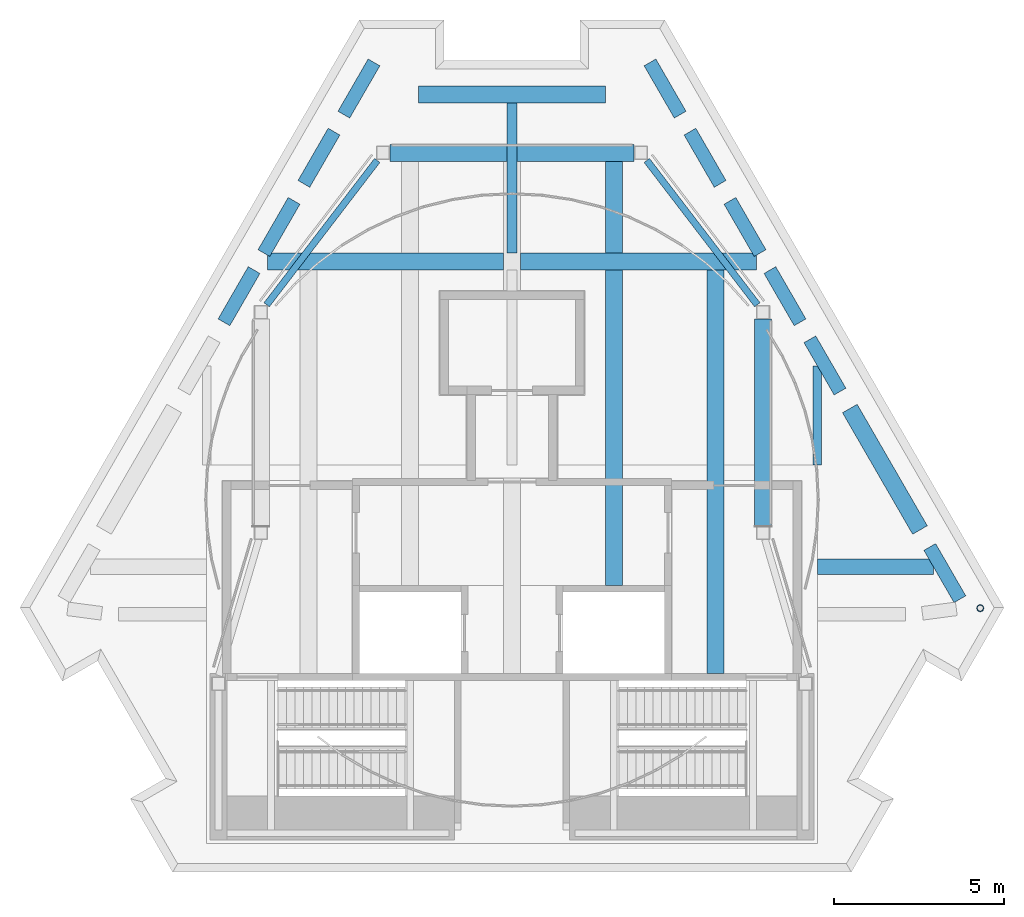
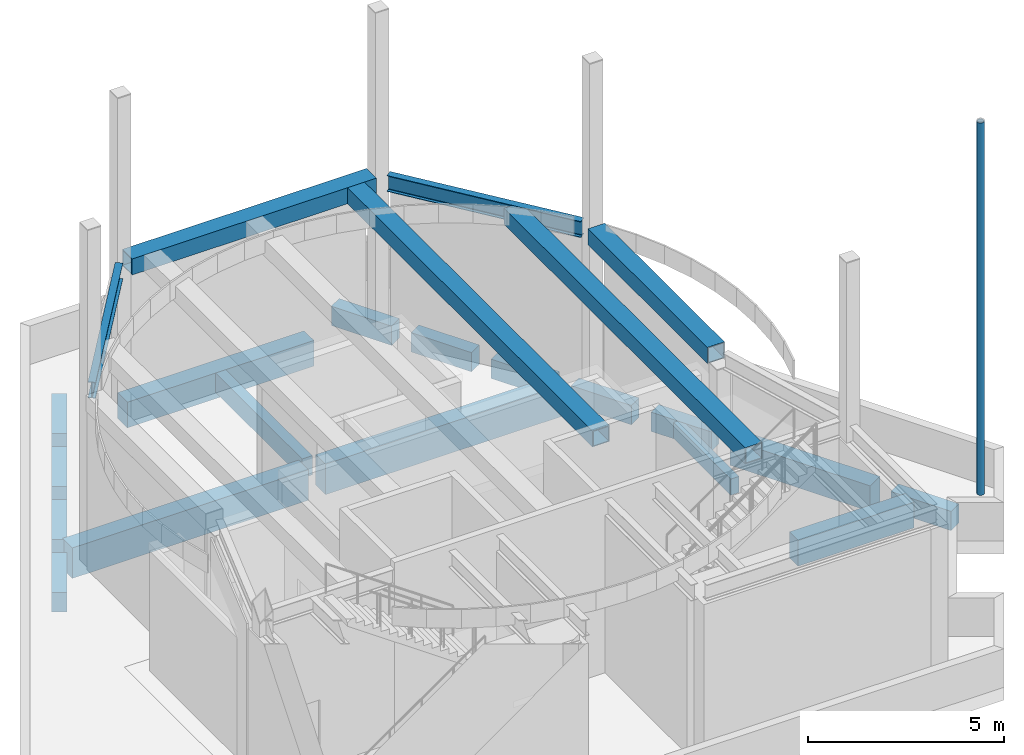
# One storey, part 2 of 6: 23 beams, 1 member.
"""IFC4 building model written with IfcOpenShell, lengths in metres."""

from ifc_helpers import new_model, si_unit, direction, frame, origin, origin_2d, place, context, subcontext, project, spatial, rectangle, hollow_rectangle, hollow_circle, i_section, extrude, material, material_profile, profile_set, type_object, element, save


model = new_model("IFC4")

# Units and contexts
model_context = context("Model", 3, precision=1e-05, world=origin(), true_north=direction((0.0, 1.0)))
body_context = subcontext(model_context, "Body", "Model", "MODEL_VIEW")
ifc_project = project(units=[si_unit("LENGTHUNIT", "METRE"), si_unit("AREAUNIT", "SQUARE_METRE"), si_unit("VOLUMEUNIT", "CUBIC_METRE"), si_unit("PLANEANGLEUNIT", "RADIAN"), si_unit("MASSUNIT", "GRAM", prefix="KILO")], contexts=[model_context])

# Site, building, storey
site_placement = place(None, origin())
site = spatial("IfcSite", under=ifc_project, at=site_placement, CompositionType="ELEMENT")
building_placement = place(site_placement, origin())
building = spatial("IfcBuilding", under=site, at=building_placement, Name="Fogline Exchange Tower", CompositionType="ELEMENT")
storey_placement = place(building_placement, frame((0.0, 0.0, 363.60009765625)))
storey = spatial("IfcBuildingStorey", under=building, at=storey_placement, Name="RF", CompositionType="ELEMENT", Elevation=363.60009765625)

# Beams
ifc_material_1 = material(Name="Concrete C40", Category="concrete")
ifc_material_profile_1 = material_profile(ifc_material_1, rectangle(XDim=0.300048828125, YDim=0.60009765625, at=origin_2d()), Name="RC 300x600")
ifc_profile_set_1 = profile_set([ifc_material_profile_1], Name="Concrete C40")
beam_type_1 = type_object("IfcBeamType", Name="B06", PredefinedType="BEAM", material=ifc_profile_set_1)
beam_1_placement = place(storey_placement, frame((0.0, 18.25, -0.7001953125), z_axis=(0.0, 1.0, 0.0), x_axis=(-1.0, 0.0, 0.0)))
element("IfcBeam", 1, at=beam_1_placement, inside=storey, type_object=beam_type_1, Name="SB003", PredefinedType="BEAM", context=body_context, shape_type="SweptSolid", body=[
    extrude(rectangle(XDim=0.300048828125, YDim=0.60009765625, at=origin_2d()), origin(), (0.0, 0.0, 1.0), 4.414794921875),
])
ifc_material_profile_2 = material_profile(ifc_material_1, rectangle(XDim=0.25, YDim=0.5, at=origin_2d()), Name="RC 250x500")
ifc_profile_set_2 = profile_set([ifc_material_profile_2], Name="Concrete C40")
beam_type_2 = type_object("IfcBeamType", Name="B08", PredefinedType="BEAM", material=ifc_profile_set_2)
beam_2_placement = place(storey_placement, frame((9.0, 12.0, -0.650146484375), z_axis=(0.0, 1.0, 0.0), x_axis=(-1.0, 0.0, 0.0)))
element("IfcBeam", 2, at=beam_2_placement, inside=storey, type_object=beam_type_2, Name="SB004", PredefinedType="BEAM", context=body_context, shape_type="SweptSolid", body=[
    extrude(rectangle(XDim=0.25, YDim=0.5, at=origin_2d()), origin(), (0.0, 0.0, 1.0), 2.92041015625),
])
ifc_material_profile_3 = material_profile(ifc_material_1, rectangle(XDim=0.5, YDim=0.800048828125, at=origin_2d()), Name="RC 500x800")
ifc_profile_set_3 = profile_set([ifc_material_profile_3], Name="Concrete C40")
beam_type_3 = type_object("IfcBeamType", Name="B10", PredefinedType="BEAM", material=ifc_profile_set_3)
beam_3_placement = place(storey_placement, frame((12.023193359375, 10.084228515625, -0.800048828125), z_axis=(-0.500032583525, 0.86600659086, 0.0), x_axis=(-0.86600659086, -0.500032583525, 0.0)))
element("IfcBeam", 3, at=beam_3_placement, inside=storey, type_object=beam_type_3, Name="RB006", PredefinedType="BEAM", context=body_context, shape_type="SweptSolid", body=[
    extrude(rectangle(XDim=0.5, YDim=0.800048828125, at=origin_2d()), origin(), (0.0, 0.0, 1.0), 4.134033203125),
])
beam_4_placement = place(storey_placement, frame((2.75, 22.914794921875, -0.800048828125), z_axis=(-1.0, 0.0, 0.0), x_axis=(0.0, -1.0, 0.0)))
element("IfcBeam", 4, at=beam_4_placement, inside=storey, type_object=beam_type_3, Name="RB012", PredefinedType="BEAM", context=body_context, shape_type="SweptSolid", body=[
    extrude(rectangle(XDim=0.5, YDim=0.800048828125, at=origin_2d()), origin(), (0.0, 0.0, 1.0), 5.5),
])
ifc_material_profile_4 = material_profile(ifc_material_1, rectangle(XDim=0.39990234375, YDim=0.60009765625, at=origin_2d()), Name="RC 400x600")
ifc_profile_set_4 = profile_set([ifc_material_profile_4], Name="Concrete C40")
beam_type_4 = type_object("IfcBeamType", Name="B11", PredefinedType="BEAM", material=ifc_profile_set_4)
beam_5_placement = place(storey_placement, frame((13.200927734375, 8.044189453125, -0.7001953125), z_axis=(-0.500007671222, 0.866020974757, 0.0), x_axis=(-0.866020974757, -0.500007671222, 0.0)))
element("IfcBeam", 5, at=beam_5_placement, inside=storey, type_object=beam_type_4, Name="RB005", PredefinedType="BEAM", context=body_context, shape_type="SweptSolid", body=[
    extrude(rectangle(XDim=0.39990234375, YDim=0.60009765625, at=origin_2d()), origin(), (0.0, 0.0, 1.0), 1.7783203125),
])
beam_6_placement = place(storey_placement, frame((9.66748046875, 14.164306640625, -0.7001953125), z_axis=(-0.499948228488, 0.866055292018, 0.0), x_axis=(-0.866055292018, -0.499948228488, 0.0)))
element("IfcBeam", 6, at=beam_6_placement, inside=storey, type_object=beam_type_4, Name="RB007", PredefinedType="BEAM", context=body_context, shape_type="SweptSolid", body=[
    extrude(rectangle(XDim=0.39990234375, YDim=0.60009765625, at=origin_2d()), origin(), (0.0, 0.0, 1.0), 1.778564453125),
])
beam_7_placement = place(storey_placement, frame((8.489501953125, 16.20458984375, -0.7001953125), z_axis=(-0.499964145121, 0.866046103619, 0.0), x_axis=(-0.866046103619, -0.499964145121, 0.0)))
element("IfcBeam", 7, at=beam_7_placement, inside=storey, type_object=beam_type_4, Name="RB008", PredefinedType="BEAM", context=body_context, shape_type="SweptSolid", body=[
    extrude(rectangle(XDim=0.39990234375, YDim=0.60009765625, at=origin_2d()), origin(), (0.0, 0.0, 1.0), 1.778076171875),
])
beam_8_placement = place(storey_placement, frame((7.311767578125, 18.244384765625, -0.7001953125), z_axis=(-0.499948228488, 0.866055292018, 0.0), x_axis=(-0.866055292018, -0.499948228488, 0.0)))
element("IfcBeam", 8, at=beam_8_placement, inside=storey, type_object=beam_type_4, Name="RB009", PredefinedType="BEAM", context=body_context, shape_type="SweptSolid", body=[
    extrude(rectangle(XDim=0.39990234375, YDim=0.60009765625, at=origin_2d()), origin(), (0.0, 0.0, 1.0), 1.778564453125),
])
for number, where, z_axis, x_axis, name in (
    (9, (6.134033203125, 20.28466796875, -0.7001953125), (-0.500007671222, 0.866020974757, 0.0), (-0.866020974757, -0.500007671222, 0.0), "RB010"),
    (10, (4.9560546875, 22.32470703125, -0.7001953125), (-0.500007671222, 0.866020974757, 0.0), (-0.866020974757, -0.500007671222, 0.0), "RB011"),
    (11, (-4.06689453125, 23.86474609375, -0.7001953125), (-0.500007671222, -0.866020974757, 0.0), (0.866020974757, -0.500007671222, 0.0), "RB013"),
    (12, (-5.244873046875, 21.82470703125, -0.7001953125), (-0.500007671222, -0.866020974757, 0.0), (0.866020974757, -0.500007671222, 0.0), "RB014"),
):
    element("IfcBeam", number, at=place(storey_placement, frame(where, z_axis=z_axis, x_axis=x_axis)), inside=storey, type_object=beam_type_4, Name=name, PredefinedType="BEAM", context=body_context, shape_type="SweptSolid", body=[
        extrude(rectangle(XDim=0.39990234375, YDim=0.60009765625, at=origin_2d()), origin(), (0.0, 0.0, 1.0), 1.7783203125),
    ])
beam_9_placement = place(storey_placement, frame((-6.422607421875, 19.78466796875, -0.7001953125), z_axis=(-0.499948228488, -0.866055292018, 0.0), x_axis=(0.866055292018, -0.499948228488, 0.0)))
element("IfcBeam", 13, at=beam_9_placement, inside=storey, type_object=beam_type_4, Name="RB015", PredefinedType="BEAM", context=body_context, shape_type="SweptSolid", body=[
    extrude(rectangle(XDim=0.39990234375, YDim=0.60009765625, at=origin_2d()), origin(), (0.0, 0.0, 1.0), 1.778564453125),
])
beam_10_placement = place(storey_placement, frame((-7.6005859375, 17.744384765625, -0.7001953125), z_axis=(-0.499964145121, -0.866046103619, 0.0), x_axis=(0.866046103619, -0.499964145121, 0.0)))
element("IfcBeam", 14, at=beam_10_placement, inside=storey, type_object=beam_type_4, Name="RB016", PredefinedType="BEAM", context=body_context, shape_type="SweptSolid", body=[
    extrude(rectangle(XDim=0.39990234375, YDim=0.60009765625, at=origin_2d()), origin(), (0.0, 0.0, 1.0), 1.778076171875),
])
ifc_material_profile_5 = material_profile(ifc_material_1, rectangle(XDim=0.5, YDim=0.949951171875, at=origin_2d()), Name="RC 500x950")
ifc_profile_set_5 = profile_set([ifc_material_profile_5], Name="Concrete C40")
beam_type_5 = type_object("IfcBeamType", Name="B14", PredefinedType="BEAM", material=ifc_profile_set_5)
for number, where, z_axis, x_axis, name in (
    (15, (-7.2060546875, 18.0, -0.875), (1.0, 0.0, 0.0), (0.0, 1.0, 0.0), "GB003"),
    (16, (0.25, 18.0, -0.875), (1.0, 0.0, 0.0), (0.0, 1.0, 0.0), "GB004"),
):
    element("IfcBeam", number, at=place(storey_placement, frame(where, z_axis=z_axis, x_axis=x_axis)), inside=storey, type_object=beam_type_5, Name=name, PredefinedType="BEAM", context=body_context, shape_type="SweptSolid", body=[
        extrude(rectangle(XDim=0.5, YDim=0.949951171875, at=origin_2d()), origin(), (0.0, 0.0, 1.0), 6.9560546875),
    ])
ifc_material_profile_6 = material_profile(ifc_material_1, rectangle(XDim=0.449951171875, YDim=0.800048828125, at=origin_2d()), Name="RC 450x800")
ifc_profile_set_6 = profile_set([ifc_material_profile_6], Name="Concrete C40")
beam_type_6 = type_object("IfcBeamType", Name="B18", PredefinedType="BEAM", material=ifc_profile_set_6)
beam_11_placement = place(storey_placement, frame((9.0, 9.0, -0.800048828125), z_axis=(1.0, 0.0, 0.0), x_axis=(0.0, 1.0, 0.0)))
element("IfcBeam", 17, at=beam_11_placement, inside=storey, type_object=beam_type_6, Name="GB002", PredefinedType="BEAM", context=body_context, shape_type="SweptSolid", body=[
    extrude(rectangle(XDim=0.449951171875, YDim=0.800048828125, at=origin_2d()), origin(), (0.0, 0.0, 1.0), 3.418212890625),
])
ifc_material_2 = material(Name="Steel Q355 grade B", Category="steel")
ifc_material_profile_7 = material_profile(ifc_material_2, i_section(OverallWidth=0.199951171875, OverallDepth=0.5, WebThickness=0.010009765625, FlangeThickness=0.01611328125, FilletRadius=0.02001953125, at=origin_2d()), Name="HN500X200X10X16")
ifc_profile_set_7 = profile_set([ifc_material_profile_7], Name="Steel Q355 grade B")
beam_type_7 = type_object("IfcBeamType", Name="HB1", PredefinedType="BEAM", material=ifc_profile_set_7)
for number, where, z_axis, x_axis, name in (
    (18, (7.2294921875, 16.722900390625, 5.14990234375), (-0.608089095456, 0.793868787639, 0.0), (-0.793868787639, -0.608089095456, 0.0), "Helipad beam"),
    (19, (-3.970703125, 20.977294921875, 5.14990234375), (-0.608089095456, -0.793868787639, 0.0), (0.793868787639, -0.608089095456, 0.0), "Helipad beam"),
):
    element("IfcBeam", number, at=place(storey_placement, frame(where, z_axis=z_axis, x_axis=x_axis)), inside=storey, type_object=beam_type_7, Name=name, PredefinedType="BEAM", context=body_context, shape_type="SweptSolid", body=[
        extrude(i_section(OverallWidth=0.199951171875, OverallDepth=0.5, WebThickness=0.010009765625, FlangeThickness=0.01611328125, FilletRadius=0.02001953125, at=origin_2d()), origin(), (0.0, 0.0, 1.0), 5.359130859375),
    ])
ifc_material_profile_8 = material_profile(ifc_material_2, hollow_rectangle(XDim=0.5, YDim=0.5, WallThickness=0.02490234375, at=origin_2d()), Name="BOX500X500X25")
ifc_profile_set_8 = profile_set([ifc_material_profile_8], Name="Steel Q355 grade B")
beam_type_8 = type_object("IfcBeamType", Name="HB2", PredefinedType="BEAM", material=ifc_profile_set_8)
beam_12_placement = place(storey_placement, frame((7.39990234375, 10.199951171875, 5.14990234375), z_axis=(0.0, 1.0, 0.0), x_axis=(-1.0, 0.0, 0.0)))
element("IfcBeam", 20, at=beam_12_placement, inside=storey, type_object=beam_type_8, Name="Helipad beam", PredefinedType="BEAM", context=body_context, shape_type="SweptSolid", body=[
    extrude(hollow_rectangle(XDim=0.5, YDim=0.5, WallThickness=0.02490234375, at=origin_2d()), origin(), (0.0, 0.0, 1.0), 6.099853515625),
])
beam_13_placement = place(storey_placement, frame((3.599853515625, 21.199951171875, 5.14990234375), z_axis=(-1.0, 0.0, 0.0), x_axis=(0.0, -1.0, 0.0)))
element("IfcBeam", 21, at=beam_13_placement, inside=storey, type_object=beam_type_8, Name="Helipad beam", PredefinedType="BEAM", context=body_context, shape_type="SweptSolid", body=[
    extrude(hollow_rectangle(XDim=0.5, YDim=0.5, WallThickness=0.02490234375, at=origin_2d()), origin(), (0.0, 0.0, 1.0), 7.19970703125),
])
beam_14_placement = place(storey_placement, frame((3.0, 8.449951171875, 5.14990234375), z_axis=(0.0, 1.0, 0.0), x_axis=(-1.0, 0.0, 0.0)))
element("IfcBeam", 22, at=beam_14_placement, inside=storey, type_object=beam_type_8, Name="Helipad cross beam", PredefinedType="BEAM", context=body_context, shape_type="SweptSolid", body=[
    extrude(hollow_rectangle(XDim=0.5, YDim=0.5, WallThickness=0.02490234375, at=origin_2d()), origin(), (0.0, 0.0, 1.0), 12.650146484375),
])
beam_15_placement = place(storey_placement, frame((6.0, 5.85009765625, 5.14990234375), z_axis=(0.0, 1.0, 0.0), x_axis=(-1.0, 0.0, 0.0)))
element("IfcBeam", 23, at=beam_15_placement, inside=storey, type_object=beam_type_8, Name="Helipad cross beam", PredefinedType="BEAM", context=body_context, shape_type="SweptSolid", body=[
    extrude(hollow_rectangle(XDim=0.5, YDim=0.5, WallThickness=0.02490234375, at=origin_2d()), origin(), (0.0, 0.0, 1.0), 12.313232421875),
])

# Member
ifc_material_profile_9 = material_profile(ifc_material_2, hollow_circle(Radius=0.10009765625, WallThickness=0.011962890625, at=origin_2d()), Name="CHS 200x12")
ifc_profile_set_9 = profile_set([ifc_material_profile_9], Name="Steel Q355 grade B")
member_type = type_object("IfcMemberType", Name="MS1", PredefinedType="USERDEFINED", material=ifc_profile_set_9)
member_placement = place(storey_placement, frame((13.800048828125, 7.780029296875, 0.0), z_axis=(0.0, 0.0, 1.0), x_axis=(1.0, 0.0, 0.0)))
element("IfcMember", 24, at=member_placement, inside=storey, type_object=member_type, Name="Lightning mast", ObjectType="MAST", PredefinedType="USERDEFINED", context=body_context, shape_type="SweptSolid", body=[
    extrude(hollow_circle(Radius=0.10009765625, WallThickness=0.011962890625, at=origin_2d()), origin(), (0.0, 0.0, 1.0), 11.599853515625),
])

save(model, "model.ifc")
